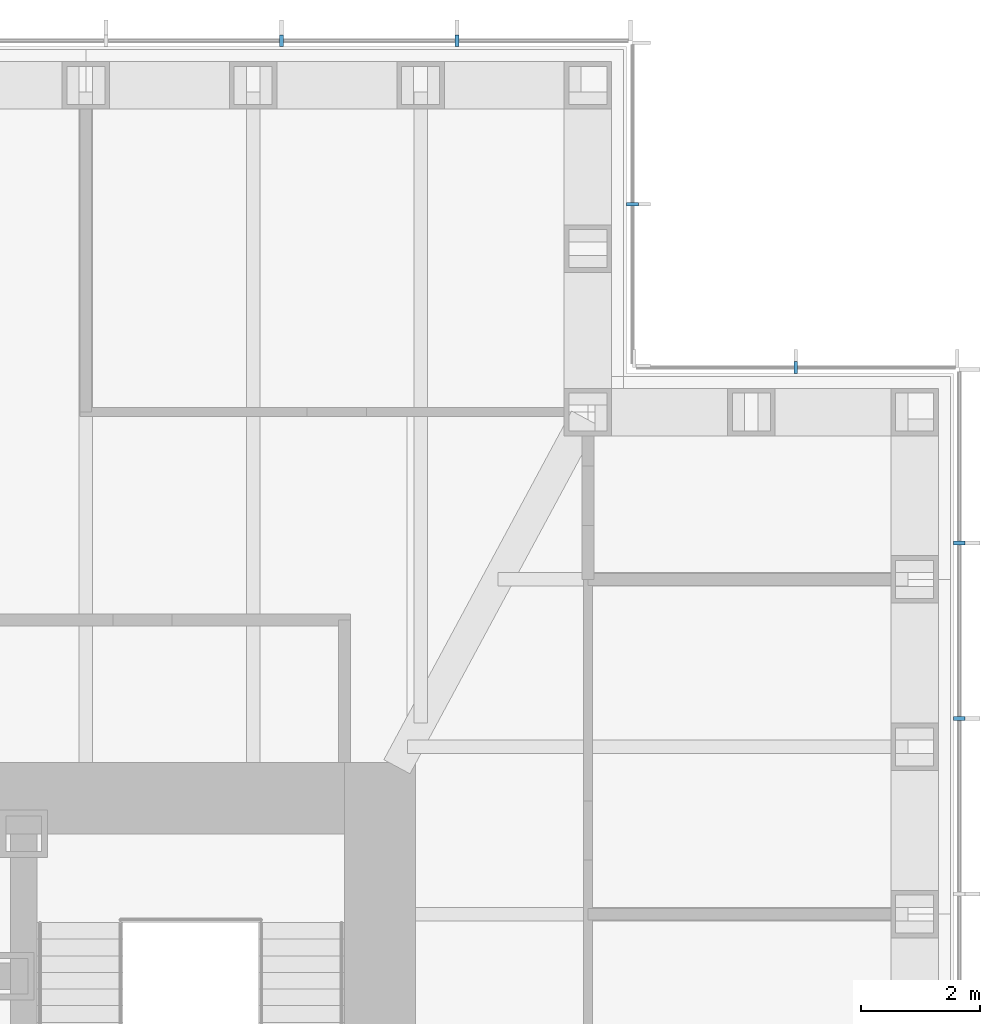
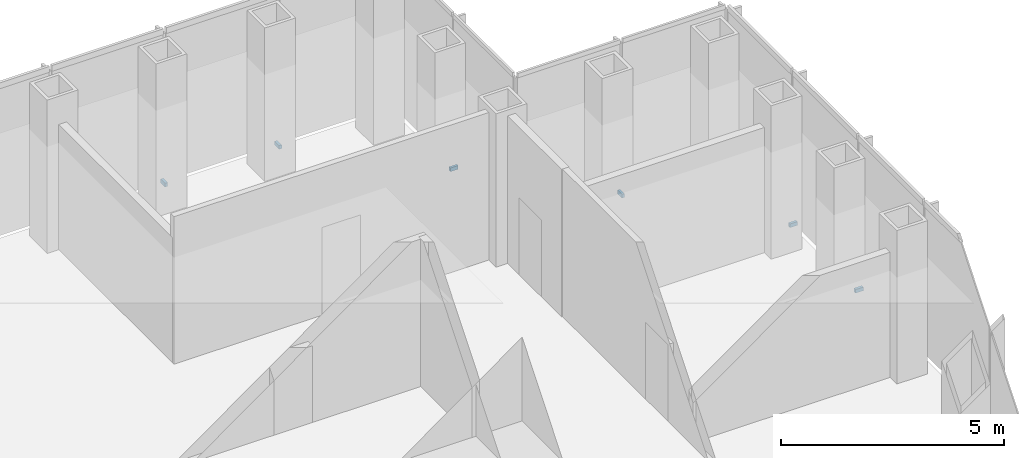
# One storey, part 15 of 16: 6 discrete accessories.
"""IFC4 building model written with IfcOpenShell, lengths in metres."""

from ifc_helpers import new_model, si_unit, direction, frame, origin, origin_2d, place, context, subcontext, project, spatial, rectangle, extrude, element, save


model = new_model("IFC4")

# Units and contexts
model_context = context("Model", 3, precision=1e-05, world=origin(), true_north=direction((0.0, 1.0)))
body_context = subcontext(model_context, "Body", "Model", "MODEL_VIEW")
ifc_project = project(units=[si_unit("LENGTHUNIT", "METRE"), si_unit("AREAUNIT", "SQUARE_METRE"), si_unit("VOLUMEUNIT", "CUBIC_METRE"), si_unit("PLANEANGLEUNIT", "RADIAN"), si_unit("MASSUNIT", "GRAM", prefix="KILO")], contexts=[model_context])

# Site, building, storey
site_placement = place(None, origin())
site = spatial("IfcSite", under=ifc_project, at=site_placement, CompositionType="ELEMENT")
building_placement = place(site_placement, origin())
building = spatial("IfcBuilding", under=site, at=building_placement, Name="Daluyong Arena Tower", CompositionType="ELEMENT")
storey_placement = place(building_placement, frame((0.0, 0.0, 214.89990234375)))
storey = spatial("IfcBuildingStorey", under=building, at=storey_placement, Name="L48", CompositionType="ELEMENT", Elevation=214.89990234375)

# Discrete accessories
for number, where, z_axis, x_axis, name in (
    (1, (77.75, 90.3408203125, -0.099853515625), (0.0, 0.0, 1.0), (0.0, 1.0, 0.0), "curtain wall L48 E anchor bracket 10"),
    (2, (77.75, 93.29541015625, -0.099853515625), (0.0, 0.0, 1.0), (0.0, 1.0, 0.0), "curtain wall L48 E anchor bracket 11"),
):
    element("IfcDiscreteAccessory", number, at=place(storey_placement, frame(where, z_axis=z_axis, x_axis=x_axis)), inside=storey, Name=name, PredefinedType="BRACKET", context=body_context, shape_type="SweptSolid", body=[
        extrude(rectangle(XDim=0.070068359375, YDim=0.199951171875, at=origin_2d()), origin(), (0.0, 0.0, 1.0), 0.10009765625),
    ])
for number, where, z_axis, x_axis, name in (
    (3, (75.0, 96.25, -0.099853515625), (0.0, 0.0, 1.0), (-1.0, 0.0, 0.0), "curtain wall L48 NE-N anchor bracket 2"),
    (4, (72.25, 99.0, -0.099853515625), (0.0, 0.0, 1.0), (0.0, 1.0, 0.0), "curtain wall L48 NE-E anchor bracket 2"),
):
    element("IfcDiscreteAccessory", number, at=place(storey_placement, frame(where, z_axis=z_axis, x_axis=x_axis)), inside=storey, Name=name, PredefinedType="BRACKET", context=body_context, shape_type="SweptSolid", body=[
        extrude(rectangle(XDim=0.06005859375, YDim=0.199951171875, at=origin_2d()), origin(), (0.0, 0.0, 1.0), 0.10009765625),
    ])
for number, where, z_axis, x_axis, name in (
    (5, (69.29541015625, 101.75, -0.099853515625), (0.0, 0.0, 1.0), (-1.0, 0.0, 0.0), "curtain wall L48 N anchor bracket 2"),
    (6, (66.3408203125, 101.75, -0.099853515625), (0.0, 0.0, 1.0), (-1.0, 0.0, 0.0), "curtain wall L48 N anchor bracket 3"),
):
    element("IfcDiscreteAccessory", number, at=place(storey_placement, frame(where, z_axis=z_axis, x_axis=x_axis)), inside=storey, Name=name, PredefinedType="BRACKET", context=body_context, shape_type="SweptSolid", body=[
        extrude(rectangle(XDim=0.070068359375, YDim=0.199951171875, at=origin_2d()), origin(), (0.0, 0.0, 1.0), 0.10009765625),
    ])

save(model, "model.ifc")
